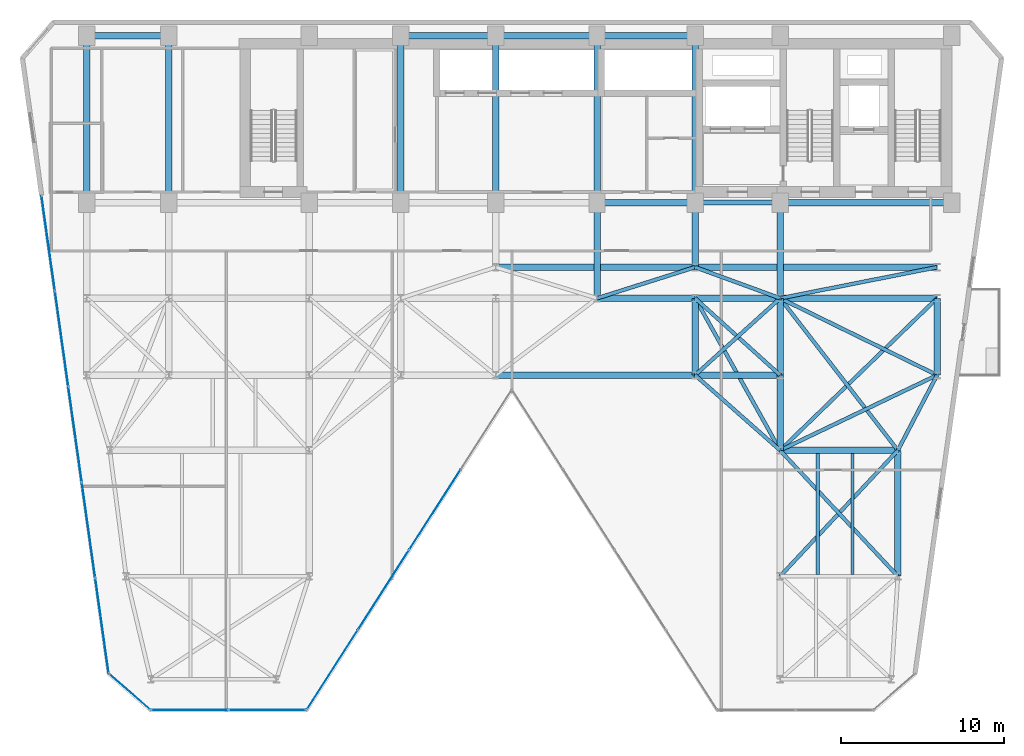
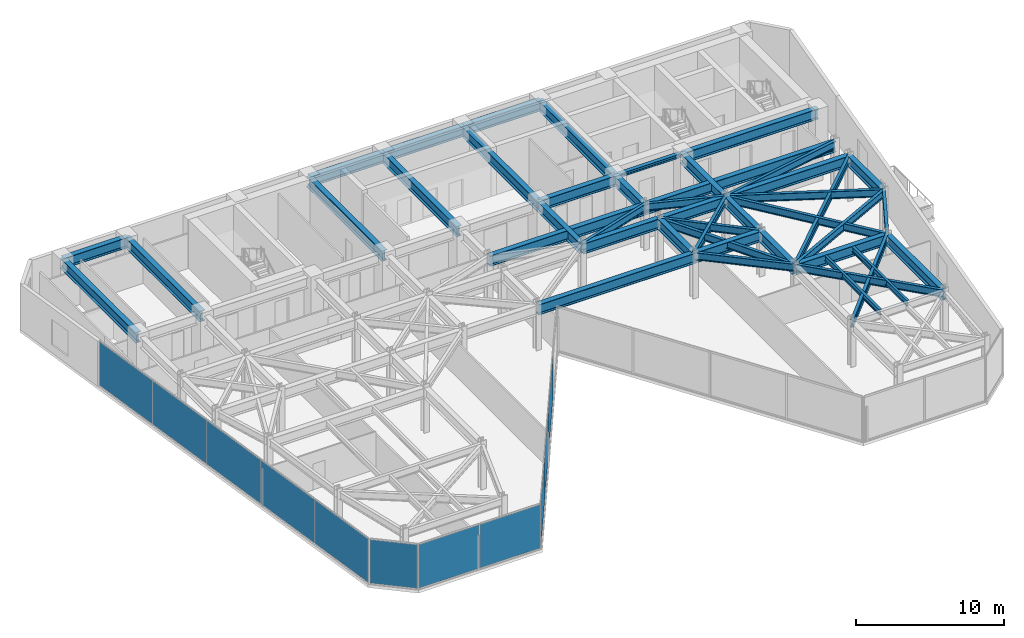
# One storey, part 20 of 26: 45 beams, 11 plates, 4 elements without a shape of their own.
"""IFC4 building model written with IfcOpenShell, lengths in metres."""

from ifc_helpers import new_model, si_unit, direction, frame, origin, origin_2d, place, context, subcontext, project, spatial, rectangle, i_section, extrude, material, layer, layer_set, material_profile, profile_set, type_object, element, aggregate, save


model = new_model("IFC4")

# Units and contexts
model_context = context("Model", 3, precision=1e-05, world=origin(), true_north=direction((0.0, 1.0)))
body_context = subcontext(model_context, "Body", "Model", "MODEL_VIEW")
ifc_project = project(units=[si_unit("LENGTHUNIT", "METRE"), si_unit("AREAUNIT", "SQUARE_METRE"), si_unit("VOLUMEUNIT", "CUBIC_METRE"), si_unit("PLANEANGLEUNIT", "RADIAN"), si_unit("MASSUNIT", "GRAM", prefix="KILO")], contexts=[model_context])

# Site, building, storey
site_placement = place(None, origin())
site = spatial("IfcSite", under=ifc_project, at=site_placement, CompositionType="ELEMENT")
building_placement = place(site_placement, origin())
building = spatial("IfcBuilding", under=site, at=building_placement, Name="Kravanh Interchange Tower", CompositionType="ELEMENT")
storey_placement = place(building_placement, frame((0.0, 0.0, 152.0)))
storey = spatial("IfcBuildingStorey", under=building, at=storey_placement, Name="L36", CompositionType="ELEMENT", Elevation=152.0)

# Beams
ifc_material_1 = material(Name="Structural Steel S355", Category="steel")
ifc_material_profile_1 = material_profile(ifc_material_1, i_section(OverallWidth=0.39990234375, OverallDepth=0.85595703125, WebThickness=0.018310546875, FlangeThickness=0.029296875, FilletRadius=0.02490234375, at=origin_2d()), Name="W33X201")
ifc_profile_set_1 = profile_set([ifc_material_profile_1], Name="Structural Steel S355")
beam_type_1 = type_object("IfcBeamType", Name="Floor Beam W33X201 Structural Steel S355", PredefinedType="BEAM", material=ifc_profile_set_1)
beam_1_placement = place(storey_placement, frame((66.5, 37.35009765625, 3.2919921875), z_axis=(-1.0, 0.0, 0.0), x_axis=(0.0, -1.0, 0.0)))
element("IfcBeam", 1, at=beam_1_placement, inside=storey, type_object=beam_type_1, Name="L36 Primary Floor Girder 5", PredefinedType="BEAM", context=body_context, shape_type="SweptSolid", body=[
    extrude(i_section(OverallWidth=0.39990234375, OverallDepth=0.85595703125, WebThickness=0.018310546875, FlangeThickness=0.029296875, FilletRadius=0.02490234375, at=origin_2d()), origin(), (0.0, 0.0, 1.0), 10.5),
])
beam_2_placement = place(storey_placement, frame((56.0, 37.35009765625, 3.2919921875), z_axis=(0.0, -1.0, 0.0), x_axis=(1.0, 0.0, 0.0)))
element("IfcBeam", 2, at=beam_2_placement, inside=storey, type_object=beam_type_1, Name="L36 Primary Floor Girder 7", PredefinedType="BEAM", context=body_context, shape_type="SweptSolid", body=[
    extrude(i_section(OverallWidth=0.39990234375, OverallDepth=0.85595703125, WebThickness=0.018310546875, FlangeThickness=0.029296875, FilletRadius=0.02490234375, at=origin_2d()), origin(), (0.0, 0.0, 1.0), 5.85009765625),
])
beam_3_placement = place(storey_placement, frame((50.800048828125, 47.550048828125, 3.2919921875), z_axis=(-1.0, 0.0, 0.0), x_axis=(0.0, -1.0, 0.0)))
element("IfcBeam", 3, at=beam_3_placement, inside=storey, type_object=beam_type_1, Name="L36 Primary Floor Girder 8", PredefinedType="BEAM", context=body_context, shape_type="SweptSolid", body=[
    extrude(i_section(OverallWidth=0.39990234375, OverallDepth=0.85595703125, WebThickness=0.018310546875, FlangeThickness=0.029296875, FilletRadius=0.02490234375, at=origin_2d()), origin(), (0.0, 0.0, 1.0), 6.0),
])
beam_4_placement = place(storey_placement, frame((50.800048828125, 47.550048828125, 3.2919921875), z_axis=(0.0, -1.0, 0.0), x_axis=(1.0, 0.0, 0.0)))
element("IfcBeam", 4, at=beam_4_placement, inside=storey, type_object=beam_type_1, Name="L36 Primary Floor Girder 9", PredefinedType="BEAM", context=body_context, shape_type="SweptSolid", body=[
    extrude(i_section(OverallWidth=0.39990234375, OverallDepth=0.85595703125, WebThickness=0.018310546875, FlangeThickness=0.029296875, FilletRadius=0.02490234375, at=origin_2d()), origin(), (0.0, 0.0, 1.0), 10.199951171875),
])
beam_5_placement = place(storey_placement, frame((50.800048828125, 37.35009765625, 3.2919921875), z_axis=(0.0, -1.0, 0.0), x_axis=(1.0, 0.0, 0.0)))
element("IfcBeam", 5, at=beam_5_placement, inside=storey, type_object=beam_type_1, Name="L36 Primary Floor Girder 10", PredefinedType="BEAM", context=body_context, shape_type="SweptSolid", body=[
    extrude(i_section(OverallWidth=0.39990234375, OverallDepth=0.85595703125, WebThickness=0.018310546875, FlangeThickness=0.029296875, FilletRadius=0.02490234375, at=origin_2d()), origin(), (0.0, 0.0, 1.0), 3.9501953125),
])
beam_6_placement = place(storey_placement, frame((50.800048828125, 37.35009765625, 3.2919921875), z_axis=(-1.0, 0.0, 0.0), x_axis=(0.0, -1.0, 0.0)))
element("IfcBeam", 6, at=beam_6_placement, inside=storey, type_object=beam_type_1, Name="L36 Primary Floor Girder 11", PredefinedType="BEAM", context=body_context, shape_type="SweptSolid", body=[
    extrude(i_section(OverallWidth=0.39990234375, OverallDepth=0.85595703125, WebThickness=0.018310546875, FlangeThickness=0.029296875, FilletRadius=0.02490234375, at=origin_2d()), origin(), (0.0, 0.0, 1.0), 6.0),
])
beam_7_placement = place(storey_placement, frame((44.800048828125, 37.35009765625, 3.2919921875), z_axis=(0.0, -1.0, 0.0), x_axis=(1.0, 0.0, 0.0)))
element("IfcBeam", 7, at=beam_7_placement, inside=storey, type_object=beam_type_1, Name="L36 Primary Floor Girder 12", PredefinedType="BEAM", context=body_context, shape_type="SweptSolid", body=[
    extrude(i_section(OverallWidth=0.39990234375, OverallDepth=0.85595703125, WebThickness=0.018310546875, FlangeThickness=0.029296875, FilletRadius=0.02490234375, at=origin_2d()), origin(), (0.0, 0.0, 1.0), 5.85009765625),
])
beam_8_placement = place(storey_placement, frame((44.800048828125, 37.35009765625, 3.2919921875), z_axis=(0.0, 1.0, 0.0), x_axis=(-1.0, 0.0, 0.0)))
element("IfcBeam", 8, at=beam_8_placement, inside=storey, type_object=beam_type_1, Name="L36 Primary Floor Girder 14", PredefinedType="BEAM", context=body_context, shape_type="SweptSolid", body=[
    extrude(i_section(OverallWidth=0.39990234375, OverallDepth=0.85595703125, WebThickness=0.018310546875, FlangeThickness=0.029296875, FilletRadius=0.02490234375, at=origin_2d()), origin(), (0.0, 0.0, 1.0), 10.199951171875),
])
beam_9_placement = place(storey_placement, frame((44.800048828125, 47.550048828125, 3.2919921875), z_axis=(-1.0, 0.0, 0.0), x_axis=(0.0, -1.0, 0.0)))
element("IfcBeam", 9, at=beam_9_placement, inside=storey, type_object=beam_type_1, Name="L36 Primary Floor Girder 15", PredefinedType="BEAM", context=body_context, shape_type="SweptSolid", body=[
    extrude(i_section(OverallWidth=0.39990234375, OverallDepth=0.85595703125, WebThickness=0.018310546875, FlangeThickness=0.029296875, FilletRadius=0.02490234375, at=origin_2d()), origin(), (0.0, 0.0, 1.0), 6.199951171875),
])
beam_10_placement = place(storey_placement, frame((38.60009765625, 37.35009765625, 3.2919921875), z_axis=(0.0, 1.0, 0.0), x_axis=(-1.0, 0.0, 0.0)))
element("IfcBeam", 10, at=beam_10_placement, inside=storey, type_object=beam_type_1, Name="L36 Primary Floor Girder 18", PredefinedType="BEAM", context=body_context, shape_type="SweptSolid", body=[
    extrude(i_section(OverallWidth=0.39990234375, OverallDepth=0.85595703125, WebThickness=0.018310546875, FlangeThickness=0.029296875, FilletRadius=0.02490234375, at=origin_2d()), origin(), (0.0, 0.0, 1.0), 10.199951171875),
])
beam_11_placement = place(storey_placement, frame((38.60009765625, 47.550048828125, 3.2919921875), z_axis=(-1.0, 0.0, 0.0), x_axis=(0.0, -1.0, 0.0)))
element("IfcBeam", 11, at=beam_11_placement, inside=storey, type_object=beam_type_1, Name="L36 Primary Floor Girder 19", PredefinedType="BEAM", context=body_context, shape_type="SweptSolid", body=[
    extrude(i_section(OverallWidth=0.39990234375, OverallDepth=0.85595703125, WebThickness=0.018310546875, FlangeThickness=0.029296875, FilletRadius=0.02490234375, at=origin_2d()), origin(), (0.0, 0.0, 1.0), 5.800048828125),
])
for number, where, z_axis, x_axis, name in (
    (12, (32.800048828125, 37.35009765625, 3.2919921875), (0.0, 1.0, 0.0), (-1.0, 0.0, 0.0), "L36 Primary Floor Girder 22"),
    (13, (18.60009765625, 37.35009765625, 3.2919921875), (0.0, 1.0, 0.0), (-1.0, 0.0, 0.0), "L36 Primary Floor Girder 30"),
):
    element("IfcBeam", number, at=place(storey_placement, frame(where, z_axis=z_axis, x_axis=x_axis)), inside=storey, type_object=beam_type_1, Name=name, PredefinedType="BEAM", context=body_context, shape_type="SweptSolid", body=[
        extrude(i_section(OverallWidth=0.39990234375, OverallDepth=0.85595703125, WebThickness=0.018310546875, FlangeThickness=0.029296875, FilletRadius=0.02490234375, at=origin_2d()), origin(), (0.0, 0.0, 1.0), 10.199951171875),
    ])
beam_12_placement = place(storey_placement, frame((18.60009765625, 47.550048828125, 3.2919921875), z_axis=(-1.0, 0.0, 0.0), x_axis=(0.0, -1.0, 0.0)))
element("IfcBeam", 14, at=beam_12_placement, inside=storey, type_object=beam_type_1, Name="L36 Primary Floor Girder 31", PredefinedType="BEAM", context=body_context, shape_type="SweptSolid", body=[
    extrude(i_section(OverallWidth=0.39990234375, OverallDepth=0.85595703125, WebThickness=0.018310546875, FlangeThickness=0.029296875, FilletRadius=0.02490234375, at=origin_2d()), origin(), (0.0, 0.0, 1.0), 5.0),
])
beam_13_placement = place(storey_placement, frame((13.60009765625, 37.35009765625, 3.2919921875), z_axis=(0.0, 1.0, 0.0), x_axis=(-1.0, 0.0, 0.0)))
element("IfcBeam", 15, at=beam_13_placement, inside=storey, type_object=beam_type_1, Name="L36 Primary Floor Girder 33", PredefinedType="BEAM", context=body_context, shape_type="SweptSolid", body=[
    extrude(i_section(OverallWidth=0.39990234375, OverallDepth=0.85595703125, WebThickness=0.018310546875, FlangeThickness=0.029296875, FilletRadius=0.02490234375, at=origin_2d()), origin(), (0.0, 0.0, 1.0), 10.199951171875),
])
beam_14_placement = place(storey_placement, frame((38.60009765625, 26.800048828125, 3.2919921875), z_axis=(1.0, 0.0, 0.0), x_axis=(0.0, 1.0, 0.0)))
element("IfcBeam", 16, at=beam_14_placement, inside=storey, type_object=beam_type_1, Name="L36 Primary Floor Girder 56", PredefinedType="BEAM", context=body_context, shape_type="SweptSolid", body=[
    extrude(i_section(OverallWidth=0.39990234375, OverallDepth=0.85595703125, WebThickness=0.018310546875, FlangeThickness=0.029296875, FilletRadius=0.02490234375, at=origin_2d()), origin(), (0.0, 0.0, 1.0), 12.199951171875),
])
beam_15_placement = place(storey_placement, frame((50.800048828125, 26.800048828125, 3.2919921875), z_axis=(0.0, 1.0, 0.0), x_axis=(-1.0, 0.0, 0.0)))
element("IfcBeam", 17, at=beam_15_placement, inside=storey, type_object=beam_type_1, Name="L36 Primary Floor Girder 57", PredefinedType="BEAM", context=body_context, shape_type="SweptSolid", body=[
    extrude(i_section(OverallWidth=0.39990234375, OverallDepth=0.85595703125, WebThickness=0.018310546875, FlangeThickness=0.029296875, FilletRadius=0.02490234375, at=origin_2d()), origin(), (0.0, 0.0, 1.0), 4.699951171875),
])
beam_16_placement = place(storey_placement, frame((50.800048828125, 26.800048828125, 3.2919921875), z_axis=(1.0, 0.0, 0.0), x_axis=(0.0, 1.0, 0.0)))
element("IfcBeam", 18, at=beam_16_placement, inside=storey, type_object=beam_type_1, Name="L36 Primary Floor Girder 58", PredefinedType="BEAM", context=body_context, shape_type="SweptSolid", body=[
    extrude(i_section(OverallWidth=0.39990234375, OverallDepth=0.85595703125, WebThickness=0.018310546875, FlangeThickness=0.029296875, FilletRadius=0.02490234375, at=origin_2d()), origin(), (0.0, 0.0, 1.0), 5.199951171875),
])
beam_17_placement = place(storey_placement, frame((56.0, 26.800048828125, 3.2919921875), z_axis=(0.0, -1.0, 0.0), x_axis=(1.0, 0.0, 0.0)))
element("IfcBeam", 19, at=beam_17_placement, inside=storey, type_object=beam_type_1, Name="L36 Primary Floor Girder 61", PredefinedType="BEAM", context=body_context, shape_type="SweptSolid", body=[
    extrude(i_section(OverallWidth=0.39990234375, OverallDepth=0.85595703125, WebThickness=0.018310546875, FlangeThickness=0.029296875, FilletRadius=0.02490234375, at=origin_2d()), origin(), (0.0, 0.0, 1.0), 4.60009765625),
])
for number, where, z_axis, x_axis, name in (
    (20, (56.0, 26.800048828125, 3.2919921875), (0.0, 1.0, 0.0), (-1.0, 0.0, 0.0), "L36 Primary Floor Girder 62"),
    (21, (65.60009765625, 26.800048828125, 3.2919921875), (0.0, 1.0, 0.0), (-1.0, 0.0, 0.0), "L36 Primary Floor Girder 65"),
):
    element("IfcBeam", number, at=place(storey_placement, frame(where, z_axis=z_axis, x_axis=x_axis)), inside=storey, type_object=beam_type_1, Name=name, PredefinedType="BEAM", context=body_context, shape_type="SweptSolid", body=[
        extrude(i_section(OverallWidth=0.39990234375, OverallDepth=0.85595703125, WebThickness=0.018310546875, FlangeThickness=0.029296875, FilletRadius=0.02490234375, at=origin_2d()), origin(), (0.0, 0.0, 1.0), 4.699951171875),
    ])
beam_18_placement = place(storey_placement, frame((44.800048828125, 31.5, 3.2919921875), z_axis=(1.0, 0.0, 0.0), x_axis=(0.0, 1.0, 0.0)))
element("IfcBeam", 22, at=beam_18_placement, inside=storey, type_object=beam_type_1, Name="L36 Primary Floor Girder 83", PredefinedType="BEAM", context=body_context, shape_type="SweptSolid", body=[
    extrude(i_section(OverallWidth=0.39990234375, OverallDepth=0.85595703125, WebThickness=0.018310546875, FlangeThickness=0.029296875, FilletRadius=0.02490234375, at=origin_2d()), origin(), (0.0, 0.0, 1.0), 6.0),
])
beam_19_placement = place(storey_placement, frame((50.800048828125, 31.5, 3.2919921875), z_axis=(1.0, 0.0, 0.0), x_axis=(0.0, 1.0, 0.0)))
element("IfcBeam", 23, at=beam_19_placement, inside=storey, type_object=beam_type_1, Name="L36 Primary Floor Girder 86", PredefinedType="BEAM", context=body_context, shape_type="SweptSolid", body=[
    extrude(i_section(OverallWidth=0.39990234375, OverallDepth=0.85595703125, WebThickness=0.018310546875, FlangeThickness=0.029296875, FilletRadius=0.02490234375, at=origin_2d()), origin(), (0.0, 0.0, 1.0), 5.199951171875),
])
beam_20_placement = place(storey_placement, frame((56.0, 31.5, 3.2919921875), z_axis=(1.0, 0.0, 0.0), x_axis=(0.0, 1.0, 0.0)))
element("IfcBeam", 24, at=beam_20_placement, inside=storey, type_object=beam_type_1, Name="L36 Primary Floor Girder 90", PredefinedType="BEAM", context=body_context, shape_type="SweptSolid", body=[
    extrude(i_section(OverallWidth=0.39990234375, OverallDepth=0.85595703125, WebThickness=0.018310546875, FlangeThickness=0.029296875, FilletRadius=0.02490234375, at=origin_2d()), origin(), (0.0, 0.0, 1.0), 9.60009765625),
])
beam_21_placement = place(storey_placement, frame((63.199951171875, 14.5, 3.2919921875), z_axis=(0.0, 1.0, 0.0), x_axis=(-1.0, 0.0, 0.0)))
element("IfcBeam", 25, at=beam_21_placement, inside=storey, type_object=beam_type_1, Name="L36 Primary Floor Girder 106", PredefinedType="BEAM", context=body_context, shape_type="SweptSolid", body=[
    extrude(i_section(OverallWidth=0.39990234375, OverallDepth=0.85595703125, WebThickness=0.018310546875, FlangeThickness=0.029296875, FilletRadius=0.02490234375, at=origin_2d()), origin(), (0.0, 0.0, 1.0), 7.699951171875),
])
beam_22_placement = place(storey_placement, frame((56.0, 22.199951171875, 3.2919921875), z_axis=(1.0, 0.0, 0.0), x_axis=(0.0, 1.0, 0.0)))
element("IfcBeam", 26, at=beam_22_placement, inside=storey, type_object=beam_type_1, Name="L36 Primary Floor Girder 109", PredefinedType="BEAM", context=body_context, shape_type="SweptSolid", body=[
    extrude(i_section(OverallWidth=0.39990234375, OverallDepth=0.85595703125, WebThickness=0.018310546875, FlangeThickness=0.029296875, FilletRadius=0.02490234375, at=origin_2d()), origin(), (0.0, 0.0, 1.0), 7.199951171875),
])
beam_23_placement = place(storey_placement, frame((38.60009765625, 33.39990234375, 3.2919921875), z_axis=(1.0, 0.0, 0.0), x_axis=(0.0, 1.0, 0.0)))
element("IfcBeam", 27, at=beam_23_placement, inside=storey, type_object=beam_type_1, Name="L36 Primary Floor Girder 111", PredefinedType="BEAM", context=body_context, shape_type="SweptSolid", body=[
    extrude(i_section(OverallWidth=0.39990234375, OverallDepth=0.85595703125, WebThickness=0.018310546875, FlangeThickness=0.029296875, FilletRadius=0.02490234375, at=origin_2d()), origin(), (0.0, 0.0, 1.0), 12.199951171875),
])
beam_24_placement = place(storey_placement, frame((50.800048828125, 33.39990234375, 3.2919921875), z_axis=(1.0, 0.0, 0.0), x_axis=(0.0, 1.0, 0.0)))
element("IfcBeam", 28, at=beam_24_placement, inside=storey, type_object=beam_type_1, Name="L36 Primary Floor Girder 112", PredefinedType="BEAM", context=body_context, shape_type="SweptSolid", body=[
    extrude(i_section(OverallWidth=0.39990234375, OverallDepth=0.85595703125, WebThickness=0.018310546875, FlangeThickness=0.029296875, FilletRadius=0.02490234375, at=origin_2d()), origin(), (0.0, 0.0, 1.0), 14.800048828125),
])
ifc_material_2 = material(Name="Structural Steel S355", Category="steel")
ifc_material_profile_2 = material_profile(ifc_material_2, i_section(OverallWidth=0.18994140625, OverallDepth=0.45703125, WebThickness=0.009033203125, FlangeThickness=0.014404296875, FilletRadius=0.01806640625, at=origin_2d()), Name="W18X50")
ifc_profile_set_2 = profile_set([ifc_material_profile_2], Name="Structural Steel S355")
beam_type_2 = type_object("IfcBeamType", Name="Floor Joist W18X50 Structural Steel S355", PredefinedType="JOIST", material=ifc_profile_set_2)
for number, where, z_axis, x_axis, name in (
    (29, (58.302001953125, 14.60888671875, 3.491455078125), (0.0, 1.0, 0.0), (-1.0, 0.0, 0.0), "L36 Secondary Floor Joist 7"),
    (30, (60.426025390625, 14.60888671875, 3.491455078125), (0.0, 1.0, 0.0), (-1.0, 0.0, 0.0), "L36 Secondary Floor Joist 8"),
):
    element("IfcBeam", number, at=place(storey_placement, frame(where, z_axis=z_axis, x_axis=x_axis)), inside=storey, type_object=beam_type_2, Name=name, PredefinedType="JOIST", context=body_context, shape_type="SweptSolid", body=[
        extrude(i_section(OverallWidth=0.18994140625, OverallDepth=0.45703125, WebThickness=0.009033203125, FlangeThickness=0.014404296875, FilletRadius=0.01806640625, at=origin_2d()), origin(), (0.0, 0.0, 1.0), 7.39599609375),
    ])
ifc_material_3 = material(Name="Structural Steel S355", Category="steel")
ifc_material_profile_3 = material_profile(ifc_material_3, i_section(OverallWidth=0.304931640625, OverallDepth=0.306884765625, WebThickness=0.010009765625, FlangeThickness=0.015380859375, FilletRadius=0.014892578125, at=origin_2d()), Name="W12X65")
ifc_profile_set_3 = profile_set([ifc_material_profile_3], Name="Structural Steel S355")
beam_type_3 = type_object("IfcBeamType", Name="Floor Lintel W12X65 Structural Steel S355", PredefinedType="LINTEL", material=ifc_profile_set_3)
beam_25_placement = place(storey_placement, frame((50.800048828125, 37.35009765625, 3.56640625), z_axis=(1.0, 0.0, 0.0), x_axis=(0.0, 1.0, 0.0)))
element("IfcBeam", 31, at=beam_25_placement, inside=storey, type_object=beam_type_3, Name="L36 Core Coupling Lintel 1", PredefinedType="LINTEL", context=body_context, shape_type="SweptSolid", body=[
    extrude(i_section(OverallWidth=0.304931640625, OverallDepth=0.306884765625, WebThickness=0.010009765625, FlangeThickness=0.015380859375, FilletRadius=0.014892578125, at=origin_2d()), origin(), (0.0, 0.0, 1.0), 5.199951171875),
])
ifc_material_4 = material(Name="Structural Steel S355", Category="steel")
ifc_material_profile_4 = material_profile(ifc_material_4, i_section(OverallWidth=0.22802734375, OverallDepth=0.60791015625, WebThickness=0.01123046875, FlangeThickness=0.017333984375, FilletRadius=0.02197265625, at=origin_2d()), Name="W24X76")
ifc_profile_set_4 = profile_set([ifc_material_profile_4], Name="Structural Steel S355")
beam_type_4 = type_object("IfcBeamType", Name="Floor Spandrel W24X76 Structural Steel S355", PredefinedType="SPANDREL", material=ifc_profile_set_4)
beam_26_placement = place(storey_placement, frame((50.800048828125, 26.800048828125, 3.416015625), z_axis=(0.74898649432, -0.662585263439, 0.0), x_axis=(0.662585263439, 0.74898649432, 0.0)))
element("IfcBeam", 32, at=beam_26_placement, inside=storey, type_object=beam_type_4, Name="L36 Perimeter Spandrel 59", PredefinedType="SPANDREL", context=body_context, shape_type="SweptSolid", body=[
    extrude(i_section(OverallWidth=0.22802734375, OverallDepth=0.60791015625, WebThickness=0.01123046875, FlangeThickness=0.017333984375, FilletRadius=0.02197265625, at=origin_2d()), origin(), (0.0, 0.0, 1.0), 6.942626953125),
])
for number, where, z_axis, x_axis, name in (
    (33, (50.800048828125, 26.800048828125, 3.416015625), (0.741874009795, 0.670539300557, 0.0), (-0.670539300557, 0.741874009795, 0.0), "L36 Perimeter Spandrel 60"),
    (34, (56.0, 26.800048828125, 3.416015625), (-0.741874009795, 0.670539300557, 0.0), (-0.670539300557, -0.741874009795, 0.0), "L36 Perimeter Spandrel 63"),
):
    element("IfcBeam", number, at=place(storey_placement, frame(where, z_axis=z_axis, x_axis=x_axis)), inside=storey, type_object=beam_type_4, Name=name, PredefinedType="SPANDREL", context=body_context, shape_type="SweptSolid", body=[
        extrude(i_section(OverallWidth=0.22802734375, OverallDepth=0.60791015625, WebThickness=0.01123046875, FlangeThickness=0.017333984375, FilletRadius=0.02197265625, at=origin_2d()), origin(), (0.0, 0.0, 1.0), 7.00927734375),
    ])
beam_27_placement = place(storey_placement, frame((65.60009765625, 26.800048828125, 3.416015625), z_axis=(-0.462580479178, -0.886577295155, 0.0), x_axis=(0.886577295155, -0.462580479178, 0.0)))
element("IfcBeam", 35, at=beam_27_placement, inside=storey, type_object=beam_type_4, Name="L36 Perimeter Spandrel 66", PredefinedType="SPANDREL", context=body_context, shape_type="SweptSolid", body=[
    extrude(i_section(OverallWidth=0.22802734375, OverallDepth=0.60791015625, WebThickness=0.01123046875, FlangeThickness=0.017333984375, FilletRadius=0.02197265625, at=origin_2d()), origin(), (0.0, 0.0, 1.0), 5.188720703125),
])
beam_28_placement = place(storey_placement, frame((65.60009765625, 26.800048828125, 3.416015625), z_axis=(-0.901814166789, -0.432124066188, 0.0), x_axis=(0.432124066188, -0.901814166789, 0.0)))
element("IfcBeam", 36, at=beam_28_placement, inside=storey, type_object=beam_type_4, Name="L36 Perimeter Spandrel 67", PredefinedType="SPANDREL", context=body_context, shape_type="SweptSolid", body=[
    extrude(i_section(OverallWidth=0.22802734375, OverallDepth=0.60791015625, WebThickness=0.01123046875, FlangeThickness=0.017333984375, FilletRadius=0.02197265625, at=origin_2d()), origin(), (0.0, 0.0, 1.0), 10.645263671875),
])
beam_29_placement = place(storey_placement, frame((65.60009765625, 26.800048828125, 3.416015625), z_axis=(-0.898141688387, 0.439706160499, 0.0), x_axis=(-0.439706160499, -0.898141688387, 0.0)))
element("IfcBeam", 37, at=beam_29_placement, inside=storey, type_object=beam_type_4, Name="L36 Perimeter Spandrel 68", PredefinedType="SPANDREL", context=body_context, shape_type="SweptSolid", body=[
    extrude(i_section(OverallWidth=0.22802734375, OverallDepth=0.60791015625, WebThickness=0.01123046875, FlangeThickness=0.017333984375, FilletRadius=0.02197265625, at=origin_2d()), origin(), (0.0, 0.0, 1.0), 10.68896484375),
])
beam_30_placement = place(storey_placement, frame((44.800048828125, 31.5, 3.416015625), z_axis=(0.953346691051, 0.301877602122, 0.0), x_axis=(-0.301877602122, 0.953346691051, 0.0)))
element("IfcBeam", 38, at=beam_30_placement, inside=storey, type_object=beam_type_4, Name="L36 Perimeter Spandrel 84", PredefinedType="SPANDREL", context=body_context, shape_type="SweptSolid", body=[
    extrude(i_section(OverallWidth=0.22802734375, OverallDepth=0.60791015625, WebThickness=0.01123046875, FlangeThickness=0.017333984375, FilletRadius=0.02197265625, at=origin_2d()), origin(), (0.0, 0.0, 1.0), 6.293701171875),
])
beam_31_placement = place(storey_placement, frame((50.800048828125, 31.5, 3.416015625), z_axis=(0.488026248114, -0.872828952975, 0.0), x_axis=(0.872828952975, 0.488026248114, 0.0)))
element("IfcBeam", 39, at=beam_31_placement, inside=storey, type_object=beam_type_4, Name="L36 Perimeter Spandrel 87", PredefinedType="SPANDREL", context=body_context, shape_type="SweptSolid", body=[
    extrude(i_section(OverallWidth=0.22802734375, OverallDepth=0.60791015625, WebThickness=0.01123046875, FlangeThickness=0.017333984375, FilletRadius=0.02197265625, at=origin_2d()), origin(), (0.0, 0.0, 1.0), 10.655029296875),
])
beam_32_placement = place(storey_placement, frame((56.0, 31.5, 3.416015625), z_axis=(-0.93926957103, 0.343180233896, 0.0), x_axis=(-0.343180233896, -0.93926957103, 0.0)))
element("IfcBeam", 40, at=beam_32_placement, inside=storey, type_object=beam_type_4, Name="L36 Perimeter Spandrel 89", PredefinedType="SPANDREL", context=body_context, shape_type="SweptSolid", body=[
    extrude(i_section(OverallWidth=0.22802734375, OverallDepth=0.60791015625, WebThickness=0.01123046875, FlangeThickness=0.017333984375, FilletRadius=0.02197265625, at=origin_2d()), origin(), (0.0, 0.0, 1.0), 5.5361328125),
])
beam_33_placement = place(storey_placement, frame((56.0, 31.5, 3.416015625), z_axis=(0.980974000807, 0.194139150457, 0.0), x_axis=(-0.194139150457, 0.980974000807, 0.0)))
element("IfcBeam", 41, at=beam_33_placement, inside=storey, type_object=beam_type_4, Name="L36 Perimeter Spandrel 91", PredefinedType="SPANDREL", context=body_context, shape_type="SweptSolid", body=[
    extrude(i_section(OverallWidth=0.22802734375, OverallDepth=0.60791015625, WebThickness=0.01123046875, FlangeThickness=0.017333984375, FilletRadius=0.02197265625, at=origin_2d()), origin(), (0.0, 0.0, 1.0), 9.786376953125),
])
beam_34_placement = place(storey_placement, frame((56.0, 31.5, 3.416015625), z_axis=(0.612168587637, -0.790727273028, 0.0), x_axis=(0.790727273028, 0.612168587637, 0.0)))
element("IfcBeam", 42, at=beam_34_placement, inside=storey, type_object=beam_type_4, Name="L36 Perimeter Spandrel 92", PredefinedType="SPANDREL", context=body_context, shape_type="SweptSolid", body=[
    extrude(i_section(OverallWidth=0.22802734375, OverallDepth=0.60791015625, WebThickness=0.01123046875, FlangeThickness=0.017333984375, FilletRadius=0.02197265625, at=origin_2d()), origin(), (0.0, 0.0, 1.0), 11.761474609375),
])
beam_35_placement = place(storey_placement, frame((65.60009765625, 31.5, 3.416015625), z_axis=(-0.718241934329, -0.695793449072, 0.0), x_axis=(0.695793449072, -0.718241934329, 0.0)))
element("IfcBeam", 43, at=beam_35_placement, inside=storey, type_object=beam_type_4, Name="L36 Perimeter Spandrel 94", PredefinedType="SPANDREL", context=body_context, shape_type="SweptSolid", body=[
    extrude(i_section(OverallWidth=0.22802734375, OverallDepth=0.60791015625, WebThickness=0.01123046875, FlangeThickness=0.017333984375, FilletRadius=0.02197265625, at=origin_2d()), origin(), (0.0, 0.0, 1.0), 13.3662109375),
])
for number, where, z_axis, x_axis, name in (
    (44, (56.0, 14.5, 3.416015625), (0.682993762113, 0.73042420614, 0.0), (-0.73042420614, 0.682993762113, 0.0), "L36 Perimeter Spandrel 105"),
    (45, (63.199951171875, 14.5, 3.416015625), (-0.682993762113, 0.73042420614, 0.0), (-0.73042420614, -0.682993762113, 0.0), "L36 Perimeter Spandrel 107"),
):
    element("IfcBeam", number, at=place(storey_placement, frame(where, z_axis=z_axis, x_axis=x_axis)), inside=storey, type_object=beam_type_4, Name=name, PredefinedType="SPANDREL", context=body_context, shape_type="SweptSolid", body=[
        extrude(i_section(OverallWidth=0.22802734375, OverallDepth=0.60791015625, WebThickness=0.01123046875, FlangeThickness=0.017333984375, FilletRadius=0.02197265625, at=origin_2d()), origin(), (0.0, 0.0, 1.0), 10.541748046875),
    ])

# Curtain wall, plates
ifc_material_5 = material(Name="Anodised Bronze Aluminium", Category="aluminium")
ifc_layer_1 = layer(ifc_material_5, 0.179931640625)
ifc_layer_set_1 = layer_set([ifc_layer_1], Name="Unitised Curtain Wall System CW-Z2 Mid Office")
curtain_wall_type = type_object("IfcCurtainWallType", Name="Unitised Curtain Wall System CW-Z2 Mid Office", PredefinedType="NOTDEFINED", material=ifc_layer_set_1)
curtain_wall_1_placement = place(storey_placement, origin())
curtain_wall_1 = element("IfcCurtainWall", 46, at=curtain_wall_1_placement, inside=storey, type_object=curtain_wall_type, Name="L36 Unitised Curtain Wall CW-L36-01", PredefinedType="NOTDEFINED")
ifc_material_6 = material(Name="Low-E Laminated Architectural Glass", Category="glass")
ifc_layer_2 = layer(ifc_material_6, 0.02587890625)
ifc_layer_set_2 = layer_set([ifc_layer_2], Name="Solar-Control Double Glazing 26mm")
plate_type = type_object("IfcPlateType", Name="Solar-Control Double Glazing 26mm", PredefinedType="CURTAIN_PANEL", material=ifc_layer_set_2)
plate_1_placement = place(storey_placement, frame((14.524169921875, 11.479736328125, 0.06005859375), z_axis=(0.0, 0.0, 1.0), x_axis=(-0.13917285118, 0.990268103846, 0.0)))
plate_1 = element("IfcPlate", 47, at=plate_1_placement, type_object=plate_type, Name="CW-Z2 panel 1.1", PredefinedType="CURTAIN_PANEL", context=body_context, shape_type="SweptSolid", body=[
    extrude(rectangle(XDim=5.81982421875, YDim=0.02587890625, at=origin_2d()), origin(), (0.0, 0.0, 1.0), 3.60009765625),
])
plate_2_placement = place(storey_placement, frame((13.70361328125, 17.317138671875, 0.06005859375), z_axis=(0.0, 0.0, 1.0), x_axis=(-0.13917285118, 0.990268103846, 0.0)))
plate_2 = element("IfcPlate", 48, at=plate_2_placement, type_object=plate_type, Name="CW-Z2 panel 2.1", PredefinedType="CURTAIN_PANEL", context=body_context, shape_type="SweptSolid", body=[
    extrude(rectangle(XDim=5.849853515625, YDim=0.02587890625, at=origin_2d()), origin(), (0.0, 0.0, 1.0), 3.60009765625),
])
plate_3_placement = place(storey_placement, frame((12.881103515625, 23.16943359375, 0.06005859375), z_axis=(0.0, 0.0, 1.0), x_axis=(-0.13917285118, 0.990268103846, 0.0)))
plate_3 = element("IfcPlate", 49, at=plate_3_placement, type_object=plate_type, Name="CW-Z2 panel 3.1", PredefinedType="CURTAIN_PANEL", context=body_context, shape_type="SweptSolid", body=[
    extrude(rectangle(XDim=5.849853515625, YDim=0.02587890625, at=origin_2d()), origin(), (0.0, 0.0, 1.0), 3.60009765625),
])
plate_4_placement = place(storey_placement, frame((12.058837890625, 29.021728515625, 0.06005859375), z_axis=(0.0, 0.0, 1.0), x_axis=(-0.13917285118, 0.990268103846, 0.0)))
plate_4 = element("IfcPlate", 50, at=plate_4_placement, type_object=plate_type, Name="CW-Z2 panel 4.1", PredefinedType="CURTAIN_PANEL", context=body_context, shape_type="SweptSolid", body=[
    extrude(rectangle(XDim=5.849853515625, YDim=0.02587890625, at=origin_2d()), origin(), (0.0, 0.0, 1.0), 3.60009765625),
])
plate_5_placement = place(storey_placement, frame((11.23828125, 34.859130859375, 0.06005859375), z_axis=(0.0, 0.0, 1.0), x_axis=(-0.13917285118, 0.990268103846, 0.0)))
plate_5 = element("IfcPlate", 51, at=plate_5_placement, type_object=plate_type, Name="CW-Z2 panel 5.1", PredefinedType="CURTAIN_PANEL", context=body_context, shape_type="SweptSolid", body=[
    extrude(rectangle(XDim=5.81982421875, YDim=0.02587890625, at=origin_2d()), origin(), (0.0, 0.0, 1.0), 3.60009765625),
])
aggregate(curtain_wall_1, [plate_1, plate_2, plate_3, plate_4, plate_5])

curtain_wall_2_placement = place(storey_placement, origin())
curtain_wall_2 = element("IfcCurtainWall", 52, at=curtain_wall_2_placement, inside=storey, type_object=curtain_wall_type, Name="L36 Unitised Curtain Wall CW-L36-05", PredefinedType="NOTDEFINED")
plate_6_placement = place(storey_placement, frame((34.887939453125, 18.571533203125, 0.06005859375), z_axis=(0.0, 0.0, 1.0), x_axis=(-0.539664865919, -0.841879939476, 0.0)))
plate_6 = element("IfcPlate", 53, at=plate_6_placement, type_object=plate_type, Name="CW-Z2 panel 2.1", PredefinedType="CURTAIN_PANEL", context=body_context, shape_type="SweptSolid", body=[
    extrude(rectangle(XDim=5.760986328125, YDim=0.02587890625, at=origin_2d()), origin(), (0.0, 0.0, 1.0), 3.60009765625),
])
plate_7_placement = place(storey_placement, frame((31.74658203125, 13.6708984375, 0.06005859375), z_axis=(0.0, 0.0, 1.0), x_axis=(-0.539664865919, -0.841879939476, 0.0)))
plate_7 = element("IfcPlate", 54, at=plate_7_placement, type_object=plate_type, Name="CW-Z2 panel 3.1", PredefinedType="CURTAIN_PANEL", context=body_context, shape_type="SweptSolid", body=[
    extrude(rectangle(XDim=5.760986328125, YDim=0.02587890625, at=origin_2d()), origin(), (0.0, 0.0, 1.0), 3.60009765625),
])
plate_8_placement = place(storey_placement, frame((28.61328125, 8.782958984375, 0.06005859375), z_axis=(0.0, 0.0, 1.0), x_axis=(-0.539664865919, -0.841879939476, 0.0)))
plate_8 = element("IfcPlate", 55, at=plate_8_placement, type_object=plate_type, Name="CW-Z2 panel 4.1", PredefinedType="CURTAIN_PANEL", context=body_context, shape_type="SweptSolid", body=[
    extrude(rectangle(XDim=5.73095703125, YDim=0.02587890625, at=origin_2d()), origin(), (0.0, 0.0, 1.0), 3.60009765625),
])
aggregate(curtain_wall_2, [plate_6, plate_7, plate_8])

curtain_wall_3_placement = place(storey_placement, origin())
curtain_wall_3 = element("IfcCurtainWall", 56, at=curtain_wall_3_placement, inside=storey, type_object=curtain_wall_type, Name="L36 Unitised Curtain Wall CW-L36-06", PredefinedType="NOTDEFINED")
plate_9_placement = place(storey_placement, frame((24.63330078125, 6.320068359375, 0.06005859375), z_axis=(0.0, 0.0, 1.0), x_axis=(-1.0, 0.0, 0.0)))
plate_9 = element("IfcPlate", 57, at=plate_9_placement, type_object=plate_type, Name="CW-Z2 panel 1.1", PredefinedType="CURTAIN_PANEL", context=body_context, shape_type="SweptSolid", body=[
    extrude(rectangle(XDim=4.682373046875, YDim=0.02587890625, at=origin_2d()), origin(), (0.0, 0.0, 1.0), 3.60009765625),
])
plate_10_placement = place(storey_placement, frame((19.890869140625, 6.320068359375, 0.06005859375), z_axis=(0.0, 0.0, 1.0), x_axis=(-1.0, 0.0, 0.0)))
plate_10 = element("IfcPlate", 58, at=plate_10_placement, type_object=plate_type, Name="CW-Z2 panel 2.1", PredefinedType="CURTAIN_PANEL", context=body_context, shape_type="SweptSolid", body=[
    extrude(rectangle(XDim=4.682373046875, YDim=0.02587890625, at=origin_2d()), origin(), (0.0, 0.0, 1.0), 3.60009765625),
])
aggregate(curtain_wall_3, [plate_9, plate_10])

# Curtain wall, plate
curtain_wall_4_placement = place(storey_placement, origin())
curtain_wall_4 = element("IfcCurtainWall", 59, at=curtain_wall_4_placement, inside=storey, type_object=curtain_wall_type, Name="L36 Unitised Curtain Wall CW-L36-07", PredefinedType="NOTDEFINED")
plate_11_placement = place(storey_placement, frame((16.213623046875, 7.429443359375, 0.06005859375), z_axis=(0.0, 0.0, 1.0), x_axis=(-0.754719458103, 0.656047665617, 0.0)))
plate_11 = element("IfcPlate", 60, at=plate_11_placement, type_object=plate_type, Name="CW-Z2 panel 1.1", PredefinedType="CURTAIN_PANEL", context=body_context, shape_type="SweptSolid", body=[
    extrude(rectangle(XDim=3.261962890625, YDim=0.02587890625, at=origin_2d()), origin(), (0.0, 0.0, 1.0), 3.60009765625),
])
aggregate(curtain_wall_4, [plate_11])

save(model, "model.ifc")
